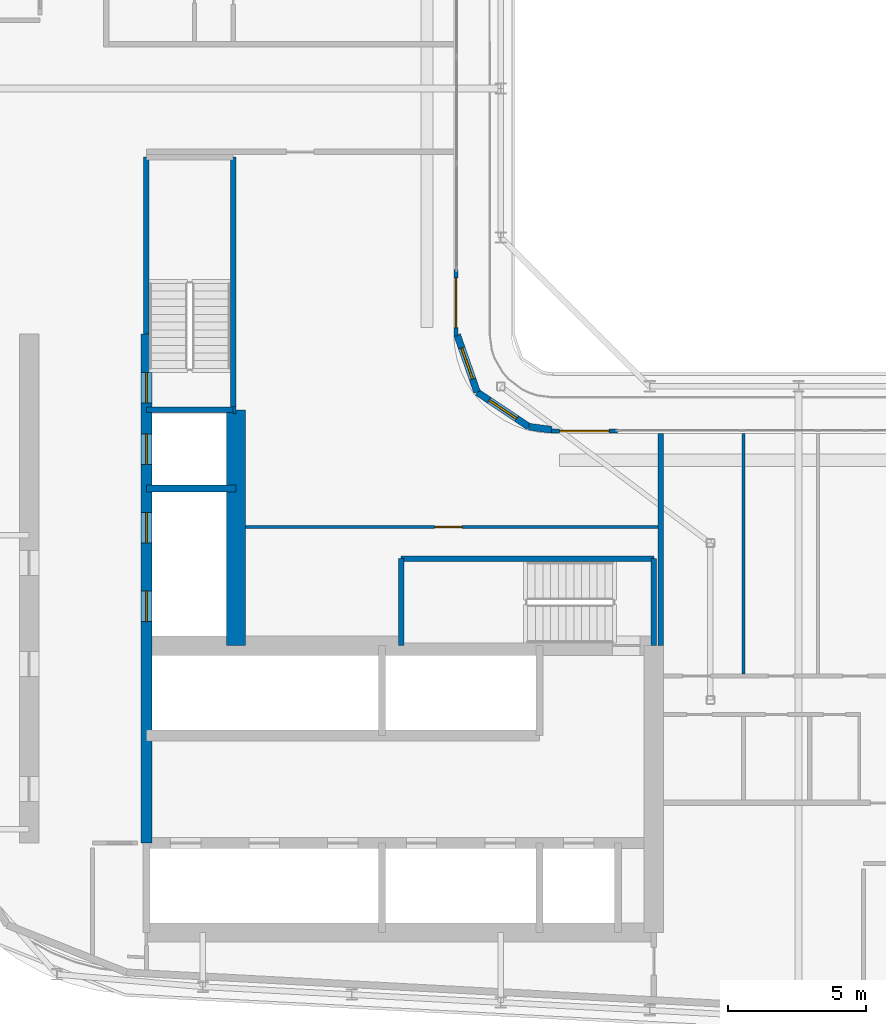
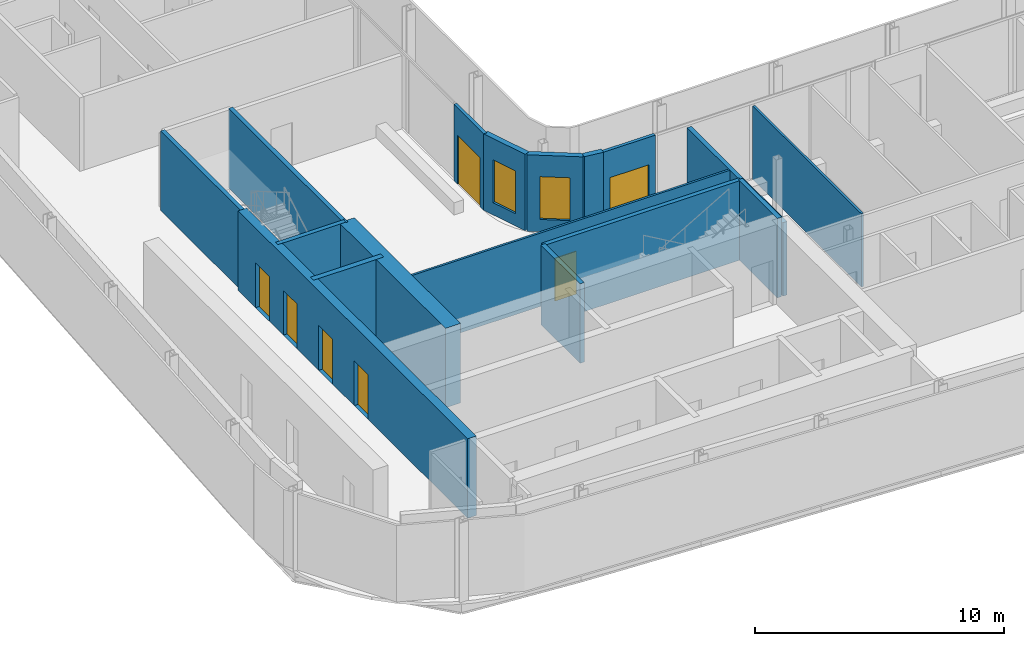
# One storey, part 11 of 23: 18 walls, 7 doors, 2 windows, 9 openings.
"""IFC4 building model written with IfcOpenShell, lengths in metres."""

import ifcopenshell
import ifcopenshell.guid

model = None  # the IFC model being written
_history = None  # IfcOwnerHistory: only IFC2X3 demands one
_inside = {}  # id of a spatial element -> (the spatial element, [elements in it])
_under = {}  # id of a project, library or spatial element -> (it, [spatial elements below it])
_declared = {}  # id of a project -> (the project, [libraries it declares])
_typed = {}  # id of a type object -> (the type object, [elements of that type])
_made_of = {}  # id of a material, layer set ... -> (it, [elements and type objects made of it])


def new_model(schema):
    """Start an empty IFC model of exactly this schema.

    Asked for "IFC4X3", IfcOpenShell would pick the latest addendum, in which some entities
    have other attributes; the version numbers below select the first issue.
    IFC2X3 requires an IfcOwnerHistory on every rooted entity: one is made here for all.
    """
    global model, _history
    if schema == "IFC4X3":
        model = ifcopenshell.file(schema_version=(4, 3, 0, 0))
    else:
        model = ifcopenshell.file(schema=schema)
    _inside.clear()
    _under.clear()
    _declared.clear()
    _typed.clear()
    _made_of.clear()
    _history = None
    if model.schema == "IFC2X3":
        org = make("IfcOrganization", Name="unknown")
        user = make(
            "IfcPersonAndOrganization",
            ThePerson=make("IfcPerson", FamilyName="unknown"),
            TheOrganization=org,
        )
        app = make(
            "IfcApplication",
            ApplicationDeveloper=org,
            Version="unknown",
            ApplicationFullName="unknown",
            ApplicationIdentifier="unknown",
        )
        _history = make(
            "IfcOwnerHistory",
            OwningUser=user,
            OwningApplication=app,
            ChangeAction="ADDED",
            CreationDate=0,
        )
    return model


def make(cls, **values):
    """One entity of the class cls with the attributes given. An attribute that is None is left unset."""
    return model.create_entity(
        cls, **{name: value for name, value in values.items() if value is not None}
    )


def rooted(cls, **values):
    """An entity with a GlobalId (a new one), such as an element, a storey or a relation."""
    return make(cls, GlobalId=ifcopenshell.guid.new(), OwnerHistory=_history, **values)


def si_unit(unit_type, name, prefix=None):
    """IfcSIUnit, for example si_unit("LENGTHUNIT", "METRE", prefix="MILLI")."""
    return make("IfcSIUnit", UnitType=unit_type, Prefix=prefix, Name=name)


def assignment(units):
    """IfcUnitAssignment: the units of a project."""
    return None if units is None else make("IfcUnitAssignment", Units=units)


def point(xyz):
    """IfcCartesianPoint."""
    return None if xyz is None else make("IfcCartesianPoint", Coordinates=xyz)


def direction(xyz):
    """IfcDirection."""
    return None if xyz is None else make("IfcDirection", DirectionRatios=xyz)


def frame(location, z_axis=None, x_axis=None):
    """IfcAxis2Placement3D, a coordinate frame: its origin and axes. An axis left out is left unset."""
    return make(
        "IfcAxis2Placement3D",
        Location=point(location),
        Axis=direction(z_axis),
        RefDirection=direction(x_axis),
    )


def frame_2d(location, x_axis=None):
    """IfcAxis2Placement2D, a coordinate frame in the plane: its origin and x axis."""
    return make(
        "IfcAxis2Placement2D", Location=point(location), RefDirection=direction(x_axis)
    )


def origin():
    """The frame at (0, 0, 0) with its axes left unset."""
    return frame((0.0, 0.0, 0.0))


def place(relative_to, where):
    """IfcLocalPlacement: puts the frame where relative to a parent placement (None: the world)."""
    return make(
        "IfcLocalPlacement", PlacementRelTo=relative_to, RelativePlacement=where
    )


def context(
    kind, dimensions, precision=None, world=None, true_north=None, identifier=None
):
    """IfcGeometricRepresentationContext, for example the 3D "Model" context."""
    return make(
        "IfcGeometricRepresentationContext",
        ContextIdentifier=identifier,
        ContextType=kind,
        CoordinateSpaceDimension=dimensions,
        Precision=precision,
        WorldCoordinateSystem=world,
        TrueNorth=true_north,
    )


def subcontext(parent, identifier, kind, view, scale=None):
    """IfcGeometricRepresentationSubContext, for example "Body" below "Model"."""
    return make(
        "IfcGeometricRepresentationSubContext",
        ContextIdentifier=identifier,
        ContextType=kind,
        ParentContext=parent,
        TargetScale=scale,
        TargetView=view,
    )


def project(units=None, contexts=None):
    """IfcProject with its units and contexts."""
    return rooted(
        "IfcProject",
        Name="project",
        RepresentationContexts=contexts,
        UnitsInContext=assignment(units),
    )


def spatial(cls, under=None, at=None, **own):
    """A site, building, storey or space (cls), placed at a placement, below another one or the project."""
    s = rooted(cls, ObjectPlacement=at, **own)
    if under is not None:
        _under.setdefault(under.id(), (under, []))[1].append(s)
    return s


def profile(cls, at=None, kind="AREA", **sizes):
    """A parametric profile (cls). Its sizes go by their IFC names, for example OverallWidth=200.0."""
    return make(cls, ProfileType=kind, Position=at, **sizes)


def rectangle(**sizes):
    """IfcRectangleProfileDef."""
    return profile("IfcRectangleProfileDef", **sizes)


def extrude(swept, where, along, depth):
    """IfcExtrudedAreaSolid: the profile swept, set in the frame where, extruded along a direction by depth."""
    return make(
        "IfcExtrudedAreaSolid",
        SweptArea=swept,
        Position=where,
        ExtrudedDirection=direction(along),
        Depth=depth,
    )


def shape(context_of_items, identifier, shape_type, items):
    """IfcShapeRepresentation: the items that make up one representation, for example the "Body"."""
    return make(
        "IfcShapeRepresentation",
        ContextOfItems=context_of_items,
        RepresentationIdentifier=identifier,
        RepresentationType=shape_type,
        Items=items,
    )


def source(mapping_origin, context_of_items, identifier, shape_type, items):
    """IfcRepresentationMap: a shape defined once, which mapped items show again and again."""
    return make(
        "IfcRepresentationMap",
        MappingOrigin=mapping_origin,
        MappedRepresentation=shape(context_of_items, identifier, shape_type, items),
    )


def transform(
    local_origin,
    x_axis=None,
    y_axis=None,
    z_axis=None,
    scale=None,
    scale2=None,
    scale3=None,
    uniform=True,
):
    """IfcCartesianTransformationOperator3D, or its non-uniform kind. x_axis, y_axis, z_axis: its Axis1, 2, 3."""
    if uniform:
        return make(
            "IfcCartesianTransformationOperator3D",
            Axis1=direction(x_axis),
            Axis2=direction(y_axis),
            LocalOrigin=point(local_origin),
            Scale=scale,
            Axis3=direction(z_axis),
        )
    return make(
        "IfcCartesianTransformationOperator3DnonUniform",
        Axis1=direction(x_axis),
        Axis2=direction(y_axis),
        LocalOrigin=point(local_origin),
        Scale=scale,
        Axis3=direction(z_axis),
        Scale2=scale2,
        Scale3=scale3,
    )


def mapped(mapping_source, mapping_target):
    """IfcMappedItem: shows the shape of a source again, moved by a transform."""
    return make(
        "IfcMappedItem", MappingSource=mapping_source, MappingTarget=mapping_target
    )


def material(Name=None, Category=None):
    """IfcMaterial."""
    return make("IfcMaterial", Name=Name, Category=Category)


def layer(
    of_material, thickness, ventilated=None, Name=None, Category=None, Priority=None
):
    """IfcMaterialLayer: one layer of a wall or slab, of a material (None: an air gap)."""
    return make(
        "IfcMaterialLayer",
        Material=of_material,
        LayerThickness=thickness,
        IsVentilated=ventilated,
        Name=Name,
        Category=Category,
        Priority=Priority,
    )


def layer_set(layers, Name=None):
    """IfcMaterialLayerSet."""
    return make("IfcMaterialLayerSet", MaterialLayers=layers, LayerSetName=Name)


def made_of(thing, what):
    """Note that an element or type object is made of a material, layer set ...; save() writes the relation."""
    if what is not None:
        _made_of.setdefault(what.id(), (what, []))[1].append(thing)
    return thing


def type_object(cls, material=None, **own):
    """A type object (cls), such as IfcWallType, which elements share."""
    return made_of(rooted(cls, **own), material)


def element(
    cls,
    number,
    at=None,
    inside=None,
    cuts=None,
    type_object=None,
    material=None,
    context=None,
    identifier="Body",
    shape_type=None,
    held_by="IfcProductDefinitionShape",
    body=None,
    shapes=None,
    **own,
):
    """One element of the class cls, such as IfcWall. Its Tag is "e" and its number.

    at: its placement. inside: the storey or other place that contains it. cuts: it is an
    opening in that element (IfcRelVoidsElement). A single representation is given by context,
    identifier, shape_type and body (its items); several are given by shapes. held_by: the class
    of the entity that holds the representations. save() writes the other relations.
    """
    e = rooted(cls, Tag="e%d" % number, ObjectPlacement=at, **own)
    if body is not None:
        shapes = [shape(context, identifier, shape_type, body)]
    if shapes is not None:
        e.Representation = make(held_by, Representations=shapes)
    if inside is not None:
        _inside.setdefault(inside.id(), (inside, []))[1].append(e)
    if cuts is not None:
        rooted(
            "IfcRelVoidsElement", RelatingBuildingElement=cuts, RelatedOpeningElement=e
        )
    if type_object is not None:
        _typed.setdefault(type_object.id(), (type_object, []))[1].append(e)
    return made_of(e, material)


def fill(opening, filler):
    """IfcRelFillsElement: the door or window that sits in an opening."""
    return rooted(
        "IfcRelFillsElement",
        RelatingOpeningElement=opening,
        RelatedBuildingElement=filler,
    )


def aggregate(whole, parts):
    """IfcRelAggregates: a whole, such as a stair, and the parts it consists of."""
    return rooted("IfcRelAggregates", RelatingObject=whole, RelatedObjects=parts)


def save(model, path):
    """Write the relations noted so far, then the file.

    IfcRelAggregates (storeys below a building ...), IfcRelContainedInSpatialStructure (elements
    in a storey), IfcRelDefinesByType, IfcRelAssociatesMaterial and IfcRelDeclares: one each for
    every whole, place, type object, material and project.
    """
    for whole, parts in _under.values():
        aggregate(whole, parts)
    for where, things in _inside.values():
        rooted(
            "IfcRelContainedInSpatialStructure",
            RelatedElements=things,
            RelatingStructure=where,
        )
    for kind, things in _typed.values():
        rooted("IfcRelDefinesByType", RelatedObjects=things, RelatingType=kind)
    for what, things in _made_of.values():
        rooted("IfcRelAssociatesMaterial", RelatedObjects=things, RelatingMaterial=what)
    for by, libraries in _declared.values():
        rooted("IfcRelDeclares", RelatingContext=by, RelatedDefinitions=libraries)
    model.write(path)


model = new_model("IFC4")

# Units and contexts
model_context = context("Model", 3, precision=1e-05, world=origin(), true_north=direction((0.0, 1.0)))
body_context = subcontext(model_context, "Body", "Model", "MODEL_VIEW")
ifc_project = project(units=[si_unit("LENGTHUNIT", "METRE"), si_unit("AREAUNIT", "SQUARE_METRE"), si_unit("VOLUMEUNIT", "CUBIC_METRE"), si_unit("PLANEANGLEUNIT", "RADIAN"), si_unit("MASSUNIT", "GRAM", prefix="KILO")], contexts=[model_context])

# Site, building, storey
site_placement = place(None, origin())
site = spatial("IfcSite", under=ifc_project, at=site_placement, CompositionType="ELEMENT")
building_placement = place(site_placement, origin())
building = spatial("IfcBuilding", under=site, at=building_placement, Name="Kheshtan School and Residences Tower", CompositionType="ELEMENT")
storey_placement = place(building_placement, frame((0.0, 0.0, 239.60009765625)))
storey = spatial("IfcBuildingStorey", under=building, at=storey_placement, Name="L56", CompositionType="ELEMENT", Elevation=239.60009765625)

# Wall, openings, doors
ifc_material_1 = material(Name="Concrete C50/60", Category="concrete")
ifc_layer_1 = layer(ifc_material_1, 0.39990234375)
ifc_layer_set_1 = layer_set([ifc_layer_1], Name="Core wall 400 Concrete C50/60")
wall_type_1 = type_object("IfcWallType", Name="Core wall 400 Concrete C50/60", PredefinedType="SHEAR", material=ifc_layer_set_1)
wall_1_placement = place(storey_placement, frame((34.75, 29.050048828125, 0.0), z_axis=(0.0, 0.0, 1.0), x_axis=(0.0, 1.0, 0.0)))
wall_1 = element("IfcWall", 1, at=wall_1_placement, inside=storey, type_object=wall_type_1, Name="Core wall CW-HALL-W1", PredefinedType="SHEAR", context=body_context, shape_type="SweptSolid", body=[
    extrude(rectangle(XDim=18.449951171875, YDim=0.39990234375, at=frame_2d((9.22509765625, 0.0))), origin(), (0.0, 0.0, 1.0), 3.89990234375),
])
opening_1_placement = place(wall_1_placement, frame((8.02490234375, 0.0, 0.0)))
opening_1 = element("IfcOpeningElement", 2, at=opening_1_placement, cuts=wall_1, Name="Opening LD", PredefinedType="OPENING", context=body_context, shape_type="SweptSolid", body=[
    extrude(rectangle(XDim=1.10009765625, YDim=2.199951171875, at=frame_2d((0.550048828125, 1.10009765625))), frame((0.0, 0.2099609375, 0.0), z_axis=(0.0, -1.0, 0.0), x_axis=(1.0, 0.0, 0.0)), (0.0, 0.0, 1.0), 0.419921875),
])
opening_2_placement = place(wall_1_placement, frame((10.875, 0.0, 0.0)))
opening_2 = element("IfcOpeningElement", 3, at=opening_2_placement, cuts=wall_1, Name="Opening LD", PredefinedType="OPENING", context=body_context, shape_type="SweptSolid", body=[
    extrude(rectangle(XDim=1.10009765625, YDim=2.199951171875, at=frame_2d((0.550048828125, 1.10009765625))), frame((0.0, 0.2099609375, 0.0), z_axis=(0.0, -1.0, 0.0), x_axis=(1.0, 0.0, 0.0)), (0.0, 0.0, 1.0), 0.419921875),
])
opening_3_placement = place(wall_1_placement, frame((13.72509765625, 0.0, 0.0)))
opening_3 = element("IfcOpeningElement", 4, at=opening_3_placement, cuts=wall_1, Name="Opening LD", PredefinedType="OPENING", context=body_context, shape_type="SweptSolid", body=[
    extrude(rectangle(XDim=1.10009765625, YDim=2.199951171875, at=frame_2d((0.550048828125, 1.10009765625))), frame((0.0, 0.2099609375, 0.0), z_axis=(0.0, -1.0, 0.0), x_axis=(1.0, 0.0, 0.0)), (0.0, 0.0, 1.0), 0.419921875),
])
opening_4_placement = place(wall_1_placement, frame((15.949951171875, 0.0, 0.0)))
opening_4 = element("IfcOpeningElement", 5, at=opening_4_placement, cuts=wall_1, Name="Opening ST2D", PredefinedType="OPENING", context=body_context, shape_type="SweptSolid", body=[
    extrude(rectangle(XDim=1.10009765625, YDim=2.199951171875, at=frame_2d((0.550048828125, 1.10009765625))), frame((0.0, 0.2099609375, 0.0), z_axis=(0.0, -1.0, 0.0), x_axis=(1.0, 0.0, 0.0)), (0.0, 0.0, 1.0), 0.419921875),
])
ifc_material_2 = material(Name="Stainless steel door leaves", Category="steel")
door_type_1 = type_object("IfcDoorType", Name="Lift landing door 1100", OperationType="SLIDING_TO_LEFT", PredefinedType="DOOR", material=ifc_material_2)
shared_shape_1 = source(origin(), body_context, "Body", "SweptSolid", [
    extrude(rectangle(XDim=1.10009765625, YDim=2.199951171875, at=frame_2d((0.550048828125, 1.10009765625))), frame((0.0, 0.02490234375, 0.0), z_axis=(0.0, -1.0, 0.0), x_axis=(1.0, 0.0, 0.0)), (0.0, 0.0, 1.0), 0.050048828125),
])
door_1_placement = place(opening_1_placement, origin())
door_1 = element("IfcDoor", 6, at=door_1_placement, inside=storey, type_object=door_type_1, Name="Lift SV1 landing door", OperationType="SLIDING_TO_LEFT", OverallHeight=2.199951171875, OverallWidth=1.10009765625, PredefinedType="DOOR", context=body_context, shape_type="MappedRepresentation", body=[
    mapped(shared_shape_1, transform((0.0, 0.0, 0.0), x_axis=(1.0, 0.0, 0.0), y_axis=(0.0, 1.0, 0.0), z_axis=(0.0, 0.0, 1.0), scale=1.0)),
])
fill(opening_1, door_1)
door_2_placement = place(opening_2_placement, origin())
door_2 = element("IfcDoor", 7, at=door_2_placement, inside=storey, type_object=door_type_1, Name="Lift SV2 landing door", OperationType="SLIDING_TO_LEFT", OverallHeight=2.199951171875, OverallWidth=1.10009765625, PredefinedType="DOOR", context=body_context, shape_type="MappedRepresentation", body=[
    mapped(shared_shape_1, transform((0.0, 0.0, 0.0), x_axis=(1.0, 0.0, 0.0), y_axis=(0.0, 1.0, 0.0), z_axis=(0.0, 0.0, 1.0), scale=1.0)),
])
fill(opening_2, door_2)
door_3_placement = place(opening_3_placement, origin())
door_3 = element("IfcDoor", 8, at=door_3_placement, inside=storey, type_object=door_type_1, Name="Lift FFL1 landing door", OperationType="SLIDING_TO_LEFT", OverallHeight=2.199951171875, OverallWidth=1.10009765625, PredefinedType="DOOR", context=body_context, shape_type="MappedRepresentation", body=[
    mapped(shared_shape_1, transform((0.0, 0.0, 0.0), x_axis=(1.0, 0.0, 0.0), y_axis=(0.0, 1.0, 0.0), z_axis=(0.0, 0.0, 1.0), scale=1.0)),
])
fill(opening_3, door_3)
ifc_material_3 = material(Name="Steel door leaf, galvanised", Category="steel")
door_type_2 = type_object("IfcDoorType", Name="Stair door 1100 steel 90 min", OperationType="SINGLE_SWING_LEFT", PredefinedType="DOOR", material=ifc_material_3)
shared_shape_2 = source(origin(), body_context, "Body", "SweptSolid", [
    extrude(rectangle(XDim=1.10009765625, YDim=2.199951171875, at=frame_2d((0.550048828125, 1.10009765625))), frame((0.0, 0.02490234375, 0.0), z_axis=(0.0, -1.0, 0.0), x_axis=(1.0, 0.0, 0.0)), (0.0, 0.0, 1.0), 0.050048828125),
])
door_4_placement = place(opening_4_placement, origin())
door_4 = element("IfcDoor", 9, at=door_4_placement, inside=storey, type_object=door_type_2, Name="Stair ST2 door", OperationType="SINGLE_SWING_RIGHT", OverallHeight=2.199951171875, OverallWidth=1.10009765625, PredefinedType="DOOR", context=body_context, shape_type="MappedRepresentation", body=[
    mapped(shared_shape_2, transform((0.0, 0.0, 0.0), x_axis=(1.0, 0.0, 0.0), y_axis=(0.0, 1.0, 0.0), z_axis=(0.0, 0.0, 1.0), scale=1.0)),
])
fill(opening_4, door_4)

# Wall
ifc_material_4 = material(Name="Concrete C70/85", Category="concrete")
ifc_layer_2 = layer(ifc_material_4, 0.699951171875)
ifc_layer_set_2 = layer_set([ifc_layer_2], Name="Core wall 700 Concrete C70/85")
wall_type_2 = type_object("IfcWallType", Name="Core wall 700 Concrete C70/85", PredefinedType="SHEAR", material=ifc_layer_set_2)
wall_2_placement = place(storey_placement, frame((38.0, 36.199951171875, 0.0), z_axis=(0.0, 0.0, 1.0), x_axis=(0.0, 1.0, 0.0)))
element("IfcWall", 10, at=wall_2_placement, inside=storey, type_object=wall_type_2, Name="Core wall CW-FRONT-W", PredefinedType="SHEAR", context=body_context, shape_type="SweptSolid", body=[
    extrude(rectangle(XDim=8.550048828125, YDim=0.699951171875, at=frame_2d((4.27490234375, 0.0))), origin(), (0.0, 0.0, 1.0), 3.89990234375),
])

# Wall, opening, window
ifc_material_5 = material(Name="Concrete C40/50 with ceramic cladding and mineral wool insulation", Category="concrete")
ifc_layer_3 = layer(ifc_material_5, 0.25)
ifc_layer_set_3 = layer_set([ifc_layer_3], Name="External wall 250 ceramic clad")
wall_type_3 = type_object("IfcWallType", Name="External wall 250 ceramic clad", PredefinedType="SOLIDWALL", material=ifc_layer_set_3)
wall_3_placement = place(storey_placement, frame((46.01806640625, 47.470947265625, 0.0), z_axis=(0.0, 0.0, 1.0), x_axis=(0.328791208903, -0.944402637093, 0.0)))
wall_3 = element("IfcWall", 11, at=wall_3_placement, inside=storey, type_object=wall_type_3, Name="External wall L56 9", PredefinedType="SOLIDWALL", context=body_context, shape_type="SweptSolid", body=[
    extrude(rectangle(XDim=2.20458984375, YDim=0.25, at=frame_2d((1.102294921875, 0.0))), origin(), (0.0, 0.0, 1.0), 3.75),
])
opening_5_placement = place(wall_3_placement, frame((0.5029296875, 0.0, 0.60009765625)))
opening_5 = element("IfcOpeningElement", 12, at=opening_5_placement, cuts=wall_3, Name="Opening WN-E", PredefinedType="OPENING", context=body_context, shape_type="SweptSolid", body=[
    extrude(rectangle(XDim=1.199951171875, YDim=2.10009765625, at=frame_2d((0.60009765625, 1.050048828125))), frame((0.0, 0.135009765625, 0.0), z_axis=(0.0, -1.0, 0.0), x_axis=(1.0, 0.0, 0.0)), (0.0, 0.0, 1.0), 0.27001953125),
])
ifc_material_6 = material(Name="Clear low-e glass in thermally broken aluminium frame", Category="aluminium")
window_type = type_object("IfcWindowType", Name="Window WN-E", PartitioningType="SINGLE_PANEL", PredefinedType="WINDOW", material=ifc_material_6)
shared_shape_3 = source(origin(), body_context, "Body", "SweptSolid", [
    extrude(rectangle(XDim=1.199951171875, YDim=2.10009765625, at=frame_2d((0.60009765625, 1.050048828125))), frame((0.0, 0.030029296875, 0.0), z_axis=(0.0, -1.0, 0.0), x_axis=(1.0, 0.0, 0.0)), (0.0, 0.0, 1.0), 0.06005859375),
])
window_1_placement = place(opening_5_placement, origin())
window_1 = element("IfcWindow", 13, at=window_1_placement, inside=storey, type_object=window_type, Name="Window L56 9", OverallHeight=2.10009765625, OverallWidth=1.199951171875, PartitioningType="SINGLE_PANEL", PredefinedType="WINDOW", context=body_context, shape_type="MappedRepresentation", body=[
    mapped(shared_shape_3, transform((0.0, 0.0, 0.0), x_axis=(1.0, 0.0, 0.0), y_axis=(0.0, 1.0, 0.0), z_axis=(0.0, 0.0, 1.0), scale=1.0)),
])
fill(opening_5, window_1)

wall_4_placement = place(storey_placement, frame((46.742919921875, 45.388916015625, 0.0), z_axis=(0.0, 0.0, 1.0), x_axis=(0.831449265529, -0.555600682912, 0.0)))
wall_4 = element("IfcWall", 14, at=wall_4_placement, inside=storey, type_object=wall_type_3, Name="External wall L56 10", PredefinedType="SOLIDWALL", context=body_context, shape_type="SweptSolid", body=[
    extrude(rectangle(XDim=2.25146484375, YDim=0.25, at=frame_2d((1.125732421875, 0.0))), origin(), (0.0, 0.0, 1.0), 3.75),
])
opening_6_placement = place(wall_4_placement, frame((0.52490234375, 0.0, 0.60009765625)))
opening_6 = element("IfcOpeningElement", 15, at=opening_6_placement, cuts=wall_4, Name="Opening WN-E", PredefinedType="OPENING", context=body_context, shape_type="SweptSolid", body=[
    extrude(rectangle(XDim=1.199951171875, YDim=2.10009765625, at=frame_2d((0.60009765625, 1.050048828125))), frame((0.0, 0.135009765625, 0.0), z_axis=(0.0, -1.0, 0.0), x_axis=(1.0, 0.0, 0.0)), (0.0, 0.0, 1.0), 0.27001953125),
])
window_2_placement = place(opening_6_placement, origin())
window_2 = element("IfcWindow", 16, at=window_2_placement, inside=storey, type_object=window_type, Name="Window L56 10", OverallHeight=2.10009765625, OverallWidth=1.199951171875, PartitioningType="SINGLE_PANEL", PredefinedType="WINDOW", context=body_context, shape_type="MappedRepresentation", body=[
    mapped(shared_shape_3, transform((0.0, 0.0, 0.0), x_axis=(1.0, 0.0, 0.0), y_axis=(0.0, 1.0, 0.0), z_axis=(0.0, 0.0, 1.0), scale=1.0)),
])
fill(opening_6, window_2)

# Wall
wall_5_placement = place(storey_placement, frame((48.614990234375, 44.137939453125, 0.0), z_axis=(0.0, 0.0, 1.0), x_axis=(0.990741504246, -0.135761819977, 0.0)))
element("IfcWall", 17, at=wall_5_placement, inside=storey, type_object=wall_type_3, Name="External wall L56 11", PredefinedType="SOLIDWALL", context=body_context, shape_type="SweptSolid", body=[
    extrude(rectangle(XDim=0.83984375, YDim=0.25, at=frame_2d((0.419921875, 0.0))), origin(), (0.0, 0.0, 1.0), 3.75),
])

# Wall, opening, door
ifc_material_7 = material(Name="Aluminium frame wall with insulated infill", Category="aluminium")
ifc_layer_4 = layer(ifc_material_7, 0.14990234375)
ifc_layer_set_4 = layer_set([ifc_layer_4], Name="Glazing frame wall 150")
wall_type_4 = type_object("IfcWallType", Name="Glazing frame wall 150", PredefinedType="SOLIDWALL", material=ifc_layer_set_4)
wall_6_placement = place(storey_placement, frame((45.97509765625, 49.830078125, 0.0), z_axis=(0.0, 0.0, 1.0), x_axis=(0.0, -1.0, 0.0)))
wall_6 = element("IfcWall", 18, at=wall_6_placement, inside=storey, type_object=wall_type_4, Name="Balcony door wall L56 8.5", PredefinedType="SOLIDWALL", context=body_context, shape_type="SweptSolid", body=[
    extrude(rectangle(XDim=2.400146484375, YDim=0.14990234375, at=frame_2d((1.2001953125, 0.0))), origin(), (0.0, 0.0, 1.0), 3.75),
])
opening_7_placement = place(wall_6_placement, frame((0.300048828125, 0.0, 0.0)))
opening_7 = element("IfcOpeningElement", 19, at=opening_7_placement, cuts=wall_6, Name="Opening BD", PredefinedType="OPENING", context=body_context, shape_type="SweptSolid", body=[
    extrude(rectangle(XDim=1.800048828125, YDim=2.39990234375, at=frame_2d((0.89990234375, 1.199951171875))), frame((0.0, 0.0849609375, 0.0), z_axis=(0.0, -1.0, 0.0), x_axis=(1.0, 0.0, 0.0)), (0.0, 0.0, 1.0), 0.169921875),
])
door_type_3 = type_object("IfcDoorType", Name="Balcony sliding door", OperationType="SLIDING_TO_LEFT", PredefinedType="DOOR", material=ifc_material_6)
shared_shape_4 = source(origin(), body_context, "Body", "SweptSolid", [
    extrude(rectangle(XDim=1.800048828125, YDim=2.39990234375, at=frame_2d((0.89990234375, 1.199951171875))), frame((0.0, 0.02490234375, 0.0), z_axis=(0.0, -1.0, 0.0), x_axis=(1.0, 0.0, 0.0)), (0.0, 0.0, 1.0), 0.050048828125),
])
door_5_placement = place(opening_7_placement, origin())
door_5 = element("IfcDoor", 20, at=door_5_placement, inside=storey, type_object=door_type_3, Name="Balcony door L56 8.5", OperationType="SLIDING_TO_LEFT", OverallHeight=2.39990234375, OverallWidth=1.800048828125, PredefinedType="DOOR", context=body_context, shape_type="MappedRepresentation", body=[
    mapped(shared_shape_4, transform((0.0, 0.0, 0.0), x_axis=(1.0, 0.0, 0.0), y_axis=(0.0, 1.0, 0.0), z_axis=(0.0, 0.0, 1.0), scale=1.0)),
])
fill(opening_7, door_5)

wall_7_placement = place(storey_placement, frame((49.429931640625, 43.97509765625, 0.0), z_axis=(0.0, 0.0, 1.0), x_axis=(1.0, 0.0, 0.0)))
wall_7 = element("IfcWall", 21, at=wall_7_placement, inside=storey, type_object=wall_type_4, Name="Balcony door wall L56 12.1", PredefinedType="SOLIDWALL", context=body_context, shape_type="SweptSolid", body=[
    extrude(rectangle(XDim=2.400146484375, YDim=0.14990234375, at=frame_2d((1.2001953125, 0.0))), origin(), (0.0, 0.0, 1.0), 3.75),
])
opening_8_placement = place(wall_7_placement, frame((0.300048828125, 0.0, 0.0)))
opening_8 = element("IfcOpeningElement", 22, at=opening_8_placement, cuts=wall_7, Name="Opening BD", PredefinedType="OPENING", context=body_context, shape_type="SweptSolid", body=[
    extrude(rectangle(XDim=1.800048828125, YDim=2.39990234375, at=frame_2d((0.89990234375, 1.199951171875))), frame((0.0, 0.0849609375, 0.0), z_axis=(0.0, -1.0, 0.0), x_axis=(1.0, 0.0, 0.0)), (0.0, 0.0, 1.0), 0.169921875),
])
door_6_placement = place(opening_8_placement, origin())
door_6 = element("IfcDoor", 23, at=door_6_placement, inside=storey, type_object=door_type_3, Name="Balcony door L56 12.1", OperationType="SLIDING_TO_LEFT", OverallHeight=2.39990234375, OverallWidth=1.800048828125, PredefinedType="DOOR", context=body_context, shape_type="MappedRepresentation", body=[
    mapped(shared_shape_4, transform((0.0, 0.0, 0.0), x_axis=(1.0, 0.0, 0.0), y_axis=(0.0, 1.0, 0.0), z_axis=(0.0, 0.0, 1.0), scale=1.0)),
])
fill(opening_8, door_6)

ifc_material_8 = material(Name="Gypsum board on steel studs", Category="steel")
ifc_layer_5 = layer(ifc_material_8, 0.10009765625)
ifc_layer_set_5 = layer_set([ifc_layer_5], Name="Gypsum partition 100")
wall_type_5 = type_object("IfcWallType", Name="Gypsum partition 100", PredefinedType="PARTITIONING", material=ifc_layer_set_5)
wall_8_placement = place(storey_placement, frame((38.34912109375, 40.5, 0.0), z_axis=(0.0, 0.0, 1.0), x_axis=(1.0, 0.0, 0.0)))
wall_8 = element("IfcWall", 24, at=wall_8_placement, inside=storey, type_object=wall_type_5, Name="Partition L56-032", PredefinedType="PARTITIONING", context=body_context, shape_type="SweptSolid", body=[
    extrude(rectangle(XDim=14.950927734375, YDim=0.10009765625, at=frame_2d((7.4755859375, 0.0))), origin(), (0.0, 0.0, 1.0), 3.599853515625),
])
opening_9_placement = place(wall_8_placement, frame((6.85107421875, 0.0, 0.0)))
opening_9 = element("IfcOpeningElement", 25, at=opening_9_placement, cuts=wall_8, Name="Opening D56-046", PredefinedType="OPENING", context=body_context, shape_type="SweptSolid", body=[
    extrude(rectangle(XDim=1.0, YDim=2.10009765625, at=frame_2d((0.5, 1.050048828125))), frame((0.0, 0.06005859375, 0.0), z_axis=(0.0, -1.0, 0.0), x_axis=(1.0, 0.0, 0.0)), (0.0, 0.0, 1.0), 0.1201171875),
])
ifc_material_9 = material(Name="Veneered timber door leaf", Category="wood")
door_type_4 = type_object("IfcDoorType", Name="Door 1000 x 2100", OperationType="SINGLE_SWING_LEFT", PredefinedType="DOOR", material=ifc_material_9)
shared_shape_5 = source(origin(), body_context, "Body", "SweptSolid", [
    extrude(rectangle(XDim=1.0, YDim=2.10009765625, at=frame_2d((0.5, 1.050048828125))), frame((0.0, 0.02490234375, 0.0), z_axis=(0.0, -1.0, 0.0), x_axis=(1.0, 0.0, 0.0)), (0.0, 0.0, 1.0), 0.050048828125),
])
door_7_placement = place(opening_9_placement, origin())
door_7 = element("IfcDoor", 26, at=door_7_placement, inside=storey, type_object=door_type_4, Name="Door D56-046", OperationType="SINGLE_SWING_RIGHT", OverallHeight=2.10009765625, OverallWidth=1.0, PredefinedType="DOOR", context=body_context, shape_type="MappedRepresentation", body=[
    mapped(shared_shape_5, transform((0.0, 0.0, 0.0), x_axis=(1.0, 0.0, 0.0), y_axis=(0.0, 1.0, 0.0), z_axis=(0.0, 0.0, 1.0), scale=1.0)),
])
fill(opening_9, door_7)

# Walls
wall_9_placement = place(storey_placement, frame((56.39990234375, 35.175048828125, 0.0), z_axis=(0.0, 0.0, 1.0), x_axis=(0.0, 1.0, 0.0)))
element("IfcWall", 27, at=wall_9_placement, inside=storey, type_object=wall_type_5, Name="Partition L56-040", PredefinedType="PARTITIONING", context=body_context, shape_type="SweptSolid", body=[
    extrude(rectangle(XDim=8.724853515625, YDim=0.10009765625, at=frame_2d((4.3623046875, 0.0))), origin(), (0.0, 0.0, 1.0), 3.599853515625),
])
ifc_material_10 = material(Name="Fire-board shaft wall system")
ifc_layer_6 = layer(ifc_material_10, 0.25)
ifc_layer_set_6 = layer_set([ifc_layer_6], Name="Shaft lining wall 250")
wall_type_6 = type_object("IfcWallType", Name="Shaft lining wall 250", PredefinedType="PARTITIONING", material=ifc_layer_set_6)
wall_10_placement = place(storey_placement, frame((34.75, 41.89990234375, 0.0), z_axis=(0.0, 0.0, 1.0), x_axis=(1.0, 0.0, 0.0)))
element("IfcWall", 28, at=wall_10_placement, inside=storey, type_object=wall_type_6, Name="Shaft lining wall", PredefinedType="PARTITIONING", context=body_context, shape_type="SweptSolid", body=[
    extrude(rectangle(XDim=3.25, YDim=0.25, at=frame_2d((1.625, 0.0))), origin(), (0.0, 0.0, 1.0), 3.89990234375),
])
wall_11_placement = place(storey_placement, frame((37.89990234375, 44.75, 0.0), z_axis=(0.0, 0.0, 1.0), x_axis=(1.0, 0.0, 0.0)))
element("IfcWall", 29, at=wall_11_placement, inside=storey, type_object=wall_type_6, Name="Shaft lining wall", PredefinedType="PARTITIONING", context=body_context, shape_type="SweptSolid", body=[
    extrude(rectangle(XDim=0.10009765625, YDim=0.25, at=frame_2d((0.050048828125, 0.0))), origin(), (0.0, 0.0, 1.0), 3.89990234375),
])
ifc_material_11 = material(Name="Concrete C40/50", Category="concrete")
ifc_layer_7 = layer(ifc_material_11, 0.199951171875)
ifc_layer_set_7 = layer_set([ifc_layer_7], Name="Stair enclosure wall 200 Concrete C40/50")
wall_type_7 = type_object("IfcWallType", Name="Stair enclosure wall 200 Concrete C40/50", PredefinedType="SHEAR", material=ifc_layer_set_7)
wall_12_placement = place(storey_placement, frame((43.989990234375, 39.35009765625, 0.0), z_axis=(0.0, 0.0, 1.0), x_axis=(1.0, 0.0, 0.0)))
element("IfcWall", 30, at=wall_12_placement, inside=storey, type_object=wall_type_7, Name="Stair enclosure wall ST1", PredefinedType="SHEAR", context=body_context, shape_type="SweptSolid", body=[
    extrude(rectangle(XDim=9.159912109375, YDim=0.199951171875, at=frame_2d((4.580078125, 0.0))), origin(), (0.0, 0.0, 1.0), 3.89990234375),
])
for number, where, z_axis, x_axis, name in (
    (31, (43.989990234375, 36.199951171875, 0.0), (0.0, 0.0, 1.0), (0.0, 1.0, 0.0), "Stair enclosure wall ST1"),
    (32, (53.14990234375, 36.199951171875, 0.0), (0.0, 0.0, 1.0), (0.0, 1.0, 0.0), "Stair enclosure wall ST1"),
):
    element("IfcWall", number, at=place(storey_placement, frame(where, z_axis=z_axis, x_axis=x_axis)), inside=storey, type_object=wall_type_7, Name=name, PredefinedType="SHEAR", context=body_context, shape_type="SweptSolid", body=[
        extrude(rectangle(XDim=3.150146484375, YDim=0.199951171875, at=frame_2d((1.5751953125, 0.0))), origin(), (0.0, 0.0, 1.0), 3.89990234375),
    ])
wall_13_placement = place(storey_placement, frame((34.75, 44.75, 0.0), z_axis=(0.0, 0.0, 1.0), x_axis=(1.0, 0.0, 0.0)))
element("IfcWall", 33, at=wall_13_placement, inside=storey, type_object=wall_type_7, Name="Stair enclosure wall ST2", PredefinedType="SHEAR", context=body_context, shape_type="SweptSolid", body=[
    extrude(rectangle(XDim=3.14990234375, YDim=0.199951171875, at=frame_2d((1.574951171875, 0.0))), origin(), (0.0, 0.0, 1.0), 3.89990234375),
])
wall_14_placement = place(storey_placement, frame((34.75, 47.5, 0.0), z_axis=(0.0, 0.0, 1.0), x_axis=(0.0, 1.0, 0.0)))
element("IfcWall", 34, at=wall_14_placement, inside=storey, type_object=wall_type_7, Name="Stair enclosure wall ST2", PredefinedType="SHEAR", context=body_context, shape_type="SweptSolid", body=[
    extrude(rectangle(XDim=6.409912109375, YDim=0.199951171875, at=frame_2d((3.205078125, 0.0))), origin(), (0.0, 0.0, 1.0), 3.89990234375),
])
wall_15_placement = place(storey_placement, frame((37.89990234375, 44.75, 0.0), z_axis=(0.0, 0.0, 1.0), x_axis=(0.0, 1.0, 0.0)))
element("IfcWall", 35, at=wall_15_placement, inside=storey, type_object=wall_type_7, Name="Stair enclosure wall ST2", PredefinedType="SHEAR", context=body_context, shape_type="SweptSolid", body=[
    extrude(rectangle(XDim=9.159912109375, YDim=0.199951171875, at=frame_2d((4.580078125, 0.0))), origin(), (0.0, 0.0, 1.0), 3.89990234375),
])
ifc_material_12 = material(Name="Twin gypsum board on steel studs with mineral wool", Category="steel")
ifc_layer_8 = layer(ifc_material_12, 0.199951171875)
ifc_layer_set_8 = layer_set([ifc_layer_8], Name="Unit demising wall 200")
wall_type_8 = type_object("IfcWallType", Name="Unit demising wall 200", PredefinedType="PARTITIONING", material=ifc_layer_set_8)
wall_16_placement = place(storey_placement, frame((53.39990234375, 36.198974609375, 0.0), z_axis=(0.0, 0.0, 1.0), x_axis=(0.0, 1.0, 0.0)))
element("IfcWall", 36, at=wall_16_placement, inside=storey, type_object=wall_type_8, Name="Partition L56-035", PredefinedType="PARTITIONING", context=body_context, shape_type="SweptSolid", body=[
    extrude(rectangle(XDim=7.700927734375, YDim=0.199951171875, at=frame_2d((3.8505859375, 0.0))), origin(), (0.0, 0.0, 1.0), 3.599853515625),
])

save(model, "model.ifc")
